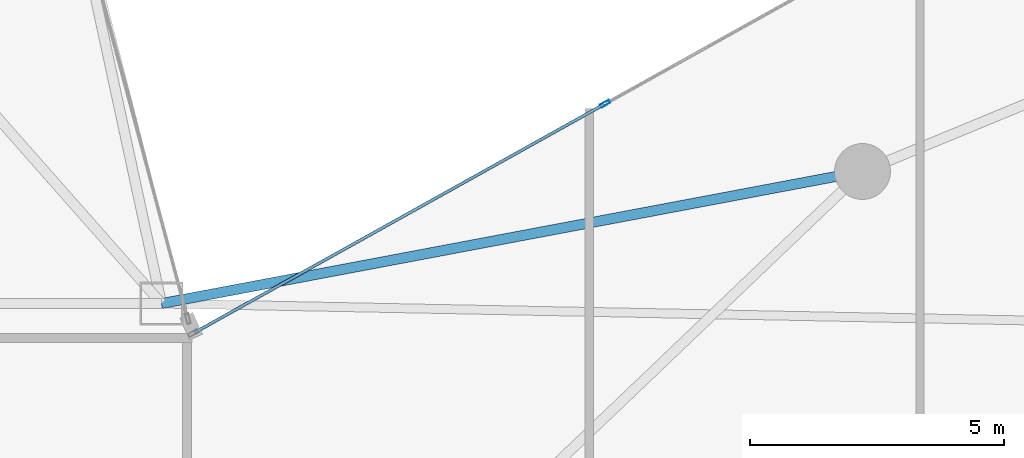
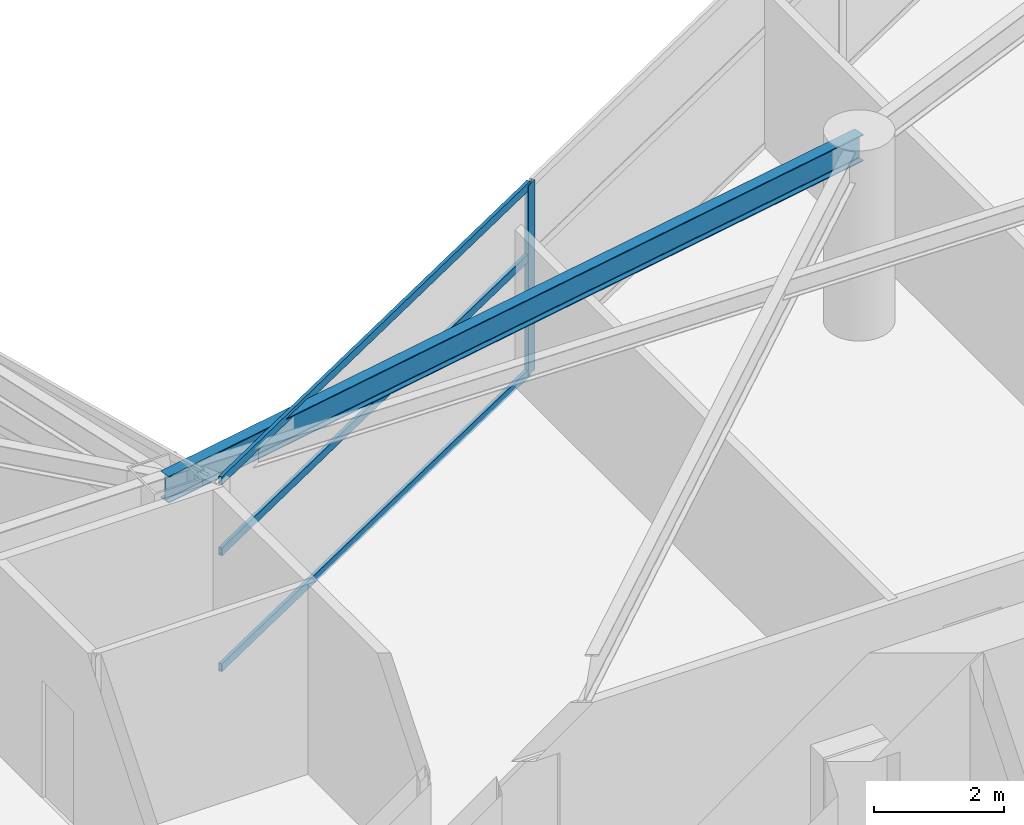
# One storey, part 11 of 29: 4 members, 1 beam, 1 element without a shape of its own.
"""IFC4 building model written with IfcOpenShell, lengths in metres."""

from ifc_helpers import new_model, si_unit, direction, frame, origin, origin_2d, place, context, subcontext, project, spatial, hollow_rectangle, i_section, extrude, material, layer, layer_set, material_profile, profile_set, type_object, element, aggregate, save


model = new_model("IFC4")

# Units and contexts
model_context = context("Model", 3, precision=1e-05, world=origin(), true_north=direction((0.0, 1.0)))
body_context = subcontext(model_context, "Body", "Model", "MODEL_VIEW")
ifc_project = project(units=[si_unit("LENGTHUNIT", "METRE"), si_unit("AREAUNIT", "SQUARE_METRE"), si_unit("VOLUMEUNIT", "CUBIC_METRE"), si_unit("PLANEANGLEUNIT", "RADIAN"), si_unit("MASSUNIT", "GRAM", prefix="KILO")], contexts=[model_context])

# Site, building, storey
site_placement = place(None, origin())
site = spatial("IfcSite", under=ifc_project, at=site_placement, CompositionType="ELEMENT")
building_placement = place(site_placement, origin())
building = spatial("IfcBuilding", under=site, at=building_placement, Name="Calvorn Quay Hotel", CompositionType="ELEMENT")
storey_placement = place(building_placement, frame((0.0, 0.0, 163.699951171875)))
storey = spatial("IfcBuildingStorey", under=building, at=storey_placement, Name="L40", CompositionType="ELEMENT", Elevation=163.699951171875)

# Beam
ifc_material_1 = material(Name="Steel Q355B", Category="steel")
ifc_material_profile_1 = material_profile(ifc_material_1, i_section(OverallWidth=0.199951171875, OverallDepth=0.5, WebThickness=0.010009765625, FlangeThickness=0.01611328125, FilletRadius=0.01611328125, at=origin_2d()), Name="HN500x200x10x16")
ifc_profile_set_1 = profile_set([ifc_material_profile_1], Name="Steel Q355B")
beam_type = type_object("IfcBeamType", Name="BM-SPANDREL-Z1", PredefinedType="SPANDREL", material=ifc_profile_set_1)
beam_placement = place(storey_placement, frame((34.800048828125, 27.60009765625, 3.2900390625), z_axis=(-0.982709432406, -0.185154452988, 0.0), x_axis=(0.185154452988, -0.982709432406, 0.0)))
element("IfcBeam", 1, at=beam_placement, inside=storey, type_object=beam_type, Name="Beam BSP-L40-E5", PredefinedType="SPANDREL", context=body_context, shape_type="SweptSolid", body=[
    extrude(i_section(OverallWidth=0.199951171875, OverallDepth=0.5, WebThickness=0.010009765625, FlangeThickness=0.01611328125, FilletRadius=0.01611328125, at=origin_2d()), origin(), (0.0, 0.0, 1.0), 14.04296875),
])

# Curtain wall, members
ifc_material_2 = material(Name="Pale Anodised Aluminium and Low-E Glass", Category="aluminium")
ifc_layer = layer(ifc_material_2, 0.219970703125)
ifc_layer_set = layer_set([ifc_layer], Name="CW-SYS-Z2")
curtain_wall_type = type_object("IfcCurtainWallType", Name="CW-SYS-Z2", PredefinedType="NOTDEFINED", material=ifc_layer_set)
curtain_wall_placement = place(storey_placement, origin())
curtain_wall = element("IfcCurtainWall", 2, at=curtain_wall_placement, inside=storey, type_object=curtain_wall_type, Name="Inner Court Curtain Wall L40-NE1", PredefinedType="NOTDEFINED")
ifc_material_3 = material(Name="Pale Anodised Aluminium 6063-T6", Category="aluminium")
ifc_material_profile_2 = material_profile(ifc_material_3, hollow_rectangle(XDim=0.070068359375, YDim=0.199951171875, WallThickness=0.00390625, at=origin_2d()), Name="ALU-M200x70x4")
ifc_profile_set_2 = profile_set([ifc_material_profile_2], Name="Pale Anodised Aluminium 6063-T6")
member_type_1 = type_object("IfcMemberType", Name="CW-SYS-Z2-MUL", PredefinedType="MULLION", material=ifc_profile_set_2)
member_1_placement = place(storey_placement, frame((29.7333984375, 28.933349609375, 0.0), z_axis=(0.0, 0.0, 1.0), x_axis=(0.486858256224, -0.873480989116, 0.0)))
member_1 = element("IfcMember", 3, at=member_1_placement, type_object=member_type_1, Name="CW-L40-NE1 mullion 3", PredefinedType="MULLION", context=body_context, shape_type="SweptSolid", body=[
    extrude(hollow_rectangle(XDim=0.070068359375, YDim=0.199951171875, WallThickness=0.00390625, at=origin_2d()), origin(), (0.0, 0.0, 1.0), 3.56005859375),
])
ifc_material_4 = material(Name="Pale Anodised Aluminium 6063-T6", Category="aluminium")
ifc_material_profile_3 = material_profile(ifc_material_4, hollow_rectangle(XDim=0.06005859375, YDim=0.14990234375, WallThickness=0.00341796875, at=origin_2d()), Name="ALU-T150x60x3.5")
ifc_profile_set_3 = profile_set([ifc_material_profile_3], Name="Pale Anodised Aluminium 6063-T6")
member_type_2 = type_object("IfcMemberType", Name="CW-SYS-Z2-TRN", PredefinedType="USERDEFINED", material=ifc_profile_set_3)
member_2_placement = place(storey_placement, frame((29.70703125, 28.918701171875, 0.030029296875), z_axis=(-0.87348080454, -0.486858587375, 0.0), x_axis=(0.486858587375, -0.87348080454, 0.0)))
member_2 = element("IfcMember", 4, at=member_2_placement, type_object=member_type_2, Name="CW-L40-NE1 transom 3.1", ObjectType="TRANSOM", PredefinedType="USERDEFINED", context=body_context, shape_type="SweptSolid", body=[
    extrude(hollow_rectangle(XDim=0.06005859375, YDim=0.14990234375, WallThickness=0.00341796875, at=origin_2d()), origin(), (0.0, 0.0, 1.0), 9.221435546875),
])
member_3_placement = place(storey_placement, frame((29.70703125, 28.918701171875, 2.199951171875), z_axis=(-0.87348080454, -0.486858587375, 0.0), x_axis=(0.486858587375, -0.87348080454, 0.0)))
member_3 = element("IfcMember", 5, at=member_3_placement, type_object=member_type_2, Name="CW-L40-NE1 transom 3.2", ObjectType="TRANSOM", PredefinedType="USERDEFINED", context=body_context, shape_type="SweptSolid", body=[
    extrude(hollow_rectangle(XDim=0.06005859375, YDim=0.14990234375, WallThickness=0.00341796875, at=origin_2d()), origin(), (0.0, 0.0, 1.0), 9.221435546875),
])
member_4_placement = place(storey_placement, frame((29.70703125, 28.918701171875, 3.530029296875), z_axis=(-0.87348080454, -0.486858587375, 0.0), x_axis=(0.486858587375, -0.87348080454, 0.0)))
member_4 = element("IfcMember", 6, at=member_4_placement, type_object=member_type_2, Name="CW-L40-NE1 transom 3.3", ObjectType="TRANSOM", PredefinedType="USERDEFINED", context=body_context, shape_type="SweptSolid", body=[
    extrude(hollow_rectangle(XDim=0.06005859375, YDim=0.14990234375, WallThickness=0.00341796875, at=origin_2d()), origin(), (0.0, 0.0, 1.0), 9.221435546875),
])
aggregate(curtain_wall, [member_1, member_2, member_3, member_4])

save(model, "model.ifc")
